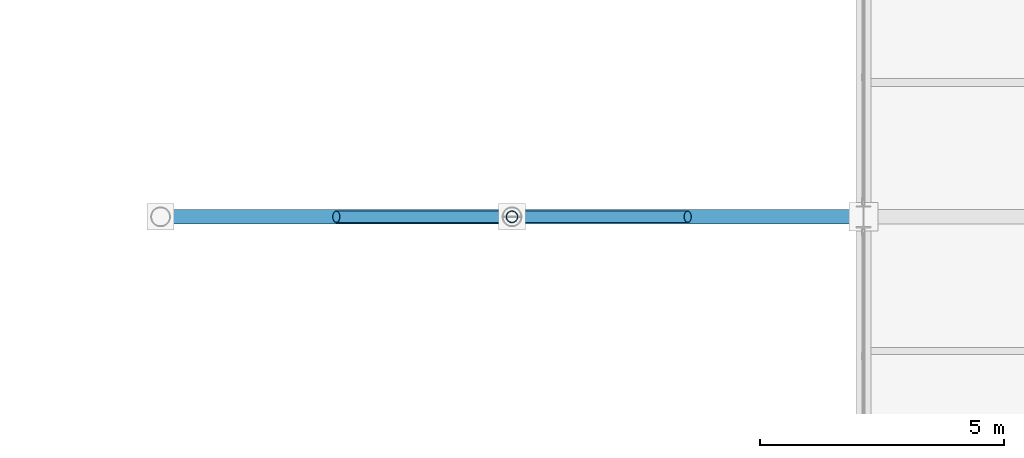
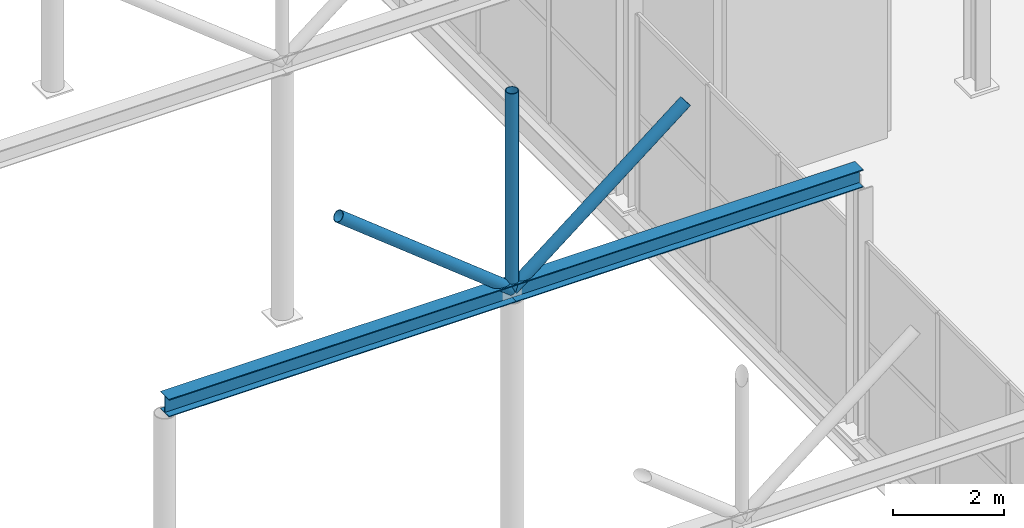
# One storey, part 23 of 147: 3 members, 2 beams.
"""IFC4 building model written with IfcOpenShell, lengths in metres."""

import ifcopenshell
import ifcopenshell.guid

model = None  # the IFC model being written
_history = None  # IfcOwnerHistory: only IFC2X3 demands one
_inside = {}  # id of a spatial element -> (the spatial element, [elements in it])
_under = {}  # id of a project, library or spatial element -> (it, [spatial elements below it])
_declared = {}  # id of a project -> (the project, [libraries it declares])
_typed = {}  # id of a type object -> (the type object, [elements of that type])
_made_of = {}  # id of a material, layer set ... -> (it, [elements and type objects made of it])


def new_model(schema):
    """Start an empty IFC model of exactly this schema.

    Asked for "IFC4X3", IfcOpenShell would pick the latest addendum, in which some entities
    have other attributes; the version numbers below select the first issue.
    IFC2X3 requires an IfcOwnerHistory on every rooted entity: one is made here for all.
    """
    global model, _history
    if schema == "IFC4X3":
        model = ifcopenshell.file(schema_version=(4, 3, 0, 0))
    else:
        model = ifcopenshell.file(schema=schema)
    _inside.clear()
    _under.clear()
    _declared.clear()
    _typed.clear()
    _made_of.clear()
    _history = None
    if model.schema == "IFC2X3":
        org = make("IfcOrganization", Name="unknown")
        user = make(
            "IfcPersonAndOrganization",
            ThePerson=make("IfcPerson", FamilyName="unknown"),
            TheOrganization=org,
        )
        app = make(
            "IfcApplication",
            ApplicationDeveloper=org,
            Version="unknown",
            ApplicationFullName="unknown",
            ApplicationIdentifier="unknown",
        )
        _history = make(
            "IfcOwnerHistory",
            OwningUser=user,
            OwningApplication=app,
            ChangeAction="ADDED",
            CreationDate=0,
        )
    return model


def make(cls, **values):
    """One entity of the class cls with the attributes given. An attribute that is None is left unset."""
    return model.create_entity(
        cls, **{name: value for name, value in values.items() if value is not None}
    )


def rooted(cls, **values):
    """An entity with a GlobalId (a new one), such as an element, a storey or a relation."""
    return make(cls, GlobalId=ifcopenshell.guid.new(), OwnerHistory=_history, **values)


def si_unit(unit_type, name, prefix=None):
    """IfcSIUnit, for example si_unit("LENGTHUNIT", "METRE", prefix="MILLI")."""
    return make("IfcSIUnit", UnitType=unit_type, Prefix=prefix, Name=name)


def assignment(units):
    """IfcUnitAssignment: the units of a project."""
    return None if units is None else make("IfcUnitAssignment", Units=units)


def point(xyz):
    """IfcCartesianPoint."""
    return None if xyz is None else make("IfcCartesianPoint", Coordinates=xyz)


def direction(xyz):
    """IfcDirection."""
    return None if xyz is None else make("IfcDirection", DirectionRatios=xyz)


def frame(location, z_axis=None, x_axis=None):
    """IfcAxis2Placement3D, a coordinate frame: its origin and axes. An axis left out is left unset."""
    return make(
        "IfcAxis2Placement3D",
        Location=point(location),
        Axis=direction(z_axis),
        RefDirection=direction(x_axis),
    )


def frame_2d(location, x_axis=None):
    """IfcAxis2Placement2D, a coordinate frame in the plane: its origin and x axis."""
    return make(
        "IfcAxis2Placement2D", Location=point(location), RefDirection=direction(x_axis)
    )


def origin():
    """The frame at (0, 0, 0) with its axes left unset."""
    return frame((0.0, 0.0, 0.0))


def origin_2d():
    """The frame at (0, 0) in the plane with its x axis left unset."""
    return frame_2d((0.0, 0.0))


def place(relative_to, where):
    """IfcLocalPlacement: puts the frame where relative to a parent placement (None: the world)."""
    return make(
        "IfcLocalPlacement", PlacementRelTo=relative_to, RelativePlacement=where
    )


def context(
    kind, dimensions, precision=None, world=None, true_north=None, identifier=None
):
    """IfcGeometricRepresentationContext, for example the 3D "Model" context."""
    return make(
        "IfcGeometricRepresentationContext",
        ContextIdentifier=identifier,
        ContextType=kind,
        CoordinateSpaceDimension=dimensions,
        Precision=precision,
        WorldCoordinateSystem=world,
        TrueNorth=true_north,
    )


def subcontext(parent, identifier, kind, view, scale=None):
    """IfcGeometricRepresentationSubContext, for example "Body" below "Model"."""
    return make(
        "IfcGeometricRepresentationSubContext",
        ContextIdentifier=identifier,
        ContextType=kind,
        ParentContext=parent,
        TargetScale=scale,
        TargetView=view,
    )


def project(units=None, contexts=None):
    """IfcProject with its units and contexts."""
    return rooted(
        "IfcProject",
        Name="project",
        RepresentationContexts=contexts,
        UnitsInContext=assignment(units),
    )


def spatial(cls, under=None, at=None, **own):
    """A site, building, storey or space (cls), placed at a placement, below another one or the project."""
    s = rooted(cls, ObjectPlacement=at, **own)
    if under is not None:
        _under.setdefault(under.id(), (under, []))[1].append(s)
    return s


def profile(cls, at=None, kind="AREA", **sizes):
    """A parametric profile (cls). Its sizes go by their IFC names, for example OverallWidth=200.0."""
    return make(cls, ProfileType=kind, Position=at, **sizes)


def hollow_circle(**sizes):
    """IfcCircleHollowProfileDef."""
    return profile("IfcCircleHollowProfileDef", **sizes)


def i_section(**sizes):
    """IfcIShapeProfileDef."""
    return profile("IfcIShapeProfileDef", **sizes)


def extrude(swept, where, along, depth):
    """IfcExtrudedAreaSolid: the profile swept, set in the frame where, extruded along a direction by depth."""
    return make(
        "IfcExtrudedAreaSolid",
        SweptArea=swept,
        Position=where,
        ExtrudedDirection=direction(along),
        Depth=depth,
    )


def shape(context_of_items, identifier, shape_type, items):
    """IfcShapeRepresentation: the items that make up one representation, for example the "Body"."""
    return make(
        "IfcShapeRepresentation",
        ContextOfItems=context_of_items,
        RepresentationIdentifier=identifier,
        RepresentationType=shape_type,
        Items=items,
    )


def material(Name=None, Category=None):
    """IfcMaterial."""
    return make("IfcMaterial", Name=Name, Category=Category)


def material_profile(
    of_material, cross_section, Name=None, Category=None, Priority=None
):
    """IfcMaterialProfile: a cross section and its material."""
    return make(
        "IfcMaterialProfile",
        Name=Name,
        Material=of_material,
        Profile=cross_section,
        Priority=Priority,
        Category=Category,
    )


def profile_set(profiles, Name=None, composite=None):
    """IfcMaterialProfileSet."""
    return make(
        "IfcMaterialProfileSet",
        Name=Name,
        MaterialProfiles=profiles,
        CompositeProfile=composite,
    )


def made_of(thing, what):
    """Note that an element or type object is made of a material, layer set ...; save() writes the relation."""
    if what is not None:
        _made_of.setdefault(what.id(), (what, []))[1].append(thing)
    return thing


def type_object(cls, material=None, **own):
    """A type object (cls), such as IfcWallType, which elements share."""
    return made_of(rooted(cls, **own), material)


def element(
    cls,
    number,
    at=None,
    inside=None,
    cuts=None,
    type_object=None,
    material=None,
    context=None,
    identifier="Body",
    shape_type=None,
    held_by="IfcProductDefinitionShape",
    body=None,
    shapes=None,
    **own,
):
    """One element of the class cls, such as IfcWall. Its Tag is "e" and its number.

    at: its placement. inside: the storey or other place that contains it. cuts: it is an
    opening in that element (IfcRelVoidsElement). A single representation is given by context,
    identifier, shape_type and body (its items); several are given by shapes. held_by: the class
    of the entity that holds the representations. save() writes the other relations.
    """
    e = rooted(cls, Tag="e%d" % number, ObjectPlacement=at, **own)
    if body is not None:
        shapes = [shape(context, identifier, shape_type, body)]
    if shapes is not None:
        e.Representation = make(held_by, Representations=shapes)
    if inside is not None:
        _inside.setdefault(inside.id(), (inside, []))[1].append(e)
    if cuts is not None:
        rooted(
            "IfcRelVoidsElement", RelatingBuildingElement=cuts, RelatedOpeningElement=e
        )
    if type_object is not None:
        _typed.setdefault(type_object.id(), (type_object, []))[1].append(e)
    return made_of(e, material)


def aggregate(whole, parts):
    """IfcRelAggregates: a whole, such as a stair, and the parts it consists of."""
    return rooted("IfcRelAggregates", RelatingObject=whole, RelatedObjects=parts)


def save(model, path):
    """Write the relations noted so far, then the file.

    IfcRelAggregates (storeys below a building ...), IfcRelContainedInSpatialStructure (elements
    in a storey), IfcRelDefinesByType, IfcRelAssociatesMaterial and IfcRelDeclares: one each for
    every whole, place, type object, material and project.
    """
    for whole, parts in _under.values():
        aggregate(whole, parts)
    for where, things in _inside.values():
        rooted(
            "IfcRelContainedInSpatialStructure",
            RelatedElements=things,
            RelatingStructure=where,
        )
    for kind, things in _typed.values():
        rooted("IfcRelDefinesByType", RelatedObjects=things, RelatingType=kind)
    for what, things in _made_of.values():
        rooted("IfcRelAssociatesMaterial", RelatedObjects=things, RelatingMaterial=what)
    for by, libraries in _declared.values():
        rooted("IfcRelDeclares", RelatingContext=by, RelatedDefinitions=libraries)
    model.write(path)


model = new_model("IFC4")

# Units and contexts
model_context = context("Model", 3, precision=1e-05, world=origin(), true_north=direction((0.0, 1.0)))
body_context = subcontext(model_context, "Body", "Model", "MODEL_VIEW")
ifc_project = project(units=[si_unit("LENGTHUNIT", "METRE"), si_unit("AREAUNIT", "SQUARE_METRE"), si_unit("VOLUMEUNIT", "CUBIC_METRE"), si_unit("PLANEANGLEUNIT", "RADIAN"), si_unit("MASSUNIT", "GRAM", prefix="KILO")], contexts=[model_context])

# Site, building, storey
site_placement = place(None, origin())
site = spatial("IfcSite", under=ifc_project, at=site_placement, CompositionType="ELEMENT")
building_placement = place(site_placement, origin())
building = spatial("IfcBuilding", under=site, at=building_placement, Name="Sundgate Opera House", CompositionType="ELEMENT")
storey_placement = place(building_placement, frame((0.0, 0.0, 6.0)))
storey = spatial("IfcBuildingStorey", under=building, at=storey_placement, Name="L01", CompositionType="ELEMENT", Elevation=6.0)

# Beams
ifc_material_1 = material(Name="Steel S355J2", Category="steel")
ifc_material_profile_1 = material_profile(ifc_material_1, i_section(OverallWidth=0.300048828125, OverallDepth=0.389892578125, WebThickness=0.010986328125, FlangeThickness=0.01904296875, at=origin_2d()), Name="HEA 400")
ifc_profile_set_1 = profile_set([ifc_material_profile_1], Name="Steel S355J2")
beam_type = type_object("IfcBeamType", Name="BM-GR-HEA400", PredefinedType="BEAM", material=ifc_profile_set_1)
for number, where, z_axis, x_axis, name in (
    (1, (81.0, 16.5, 5.5849609375), (1.0, 0.0, 0.0), (0.0, 1.0, 0.0), "L01 Passage Arch Tie Beam B3395"),
    (2, (88.199951171875, 16.5, 5.5849609375), (1.0, 0.0, 0.0), (0.0, 1.0, 0.0), "L01 Passage Arch Tie Beam B3396"),
):
    element("IfcBeam", number, at=place(storey_placement, frame(where, z_axis=z_axis, x_axis=x_axis)), inside=storey, type_object=beam_type, Name=name, PredefinedType="BEAM", context=body_context, shape_type="SweptSolid", body=[
        extrude(i_section(OverallWidth=0.300048828125, OverallDepth=0.389892578125, WebThickness=0.010986328125, FlangeThickness=0.01904296875, at=origin_2d()), origin(), (0.0, 0.0, 1.0), 7.199951171875),
    ])

# Members
ifc_material_2 = material(Name="Steel S355J2", Category="steel")
ifc_material_profile_2 = material_profile(ifc_material_2, hollow_circle(Radius=0.122314453125, WallThickness=0.012451171875, at=origin_2d()), Name="CHS 244.5x12.5")
ifc_profile_set_2 = profile_set([ifc_material_profile_2], Name="Steel S355J2")
member_type = type_object("IfcMemberType", Name="MB-STRUT-CHS244", PredefinedType="STRUT", material=ifc_profile_set_2)
member_1_placement = place(storey_placement, frame((88.199951171875, 16.5, 5.594970703125), z_axis=(-0.78350570776, 0.0, 0.621384587762), x_axis=(0.0, -1.0, 0.0)))
element("IfcMember", 3, at=member_1_placement, inside=storey, type_object=member_type, Name="Passage Arch Spandrel Strut M0290", PredefinedType="STRUT", context=body_context, shape_type="SweptSolid", body=[
    extrude(hollow_circle(Radius=0.122314453125, WallThickness=0.012451171875, at=origin_2d()), origin(), (0.0, 0.0, 1.0), 4.594482421875),
])
member_2_placement = place(storey_placement, frame((88.199951171875, 16.5, 5.594970703125), z_axis=(0.783526223691, 0.0, 0.621358718285), x_axis=(0.0, 1.0, 0.0)))
element("IfcMember", 4, at=member_2_placement, inside=storey, type_object=member_type, Name="Passage Arch Spandrel Strut M0291", PredefinedType="STRUT", context=body_context, shape_type="SweptSolid", body=[
    extrude(hollow_circle(Radius=0.122314453125, WallThickness=0.012451171875, at=origin_2d()), origin(), (0.0, 0.0, 1.0), 4.5947265625),
])
member_3_placement = place(storey_placement, frame((88.199951171875, 16.5, 5.594970703125), z_axis=(0.0, 0.0, 1.0), x_axis=(1.0, 0.0, 0.0)))
element("IfcMember", 5, at=member_3_placement, inside=storey, type_object=member_type, Name="Passage Arch Crown Post M0292", PredefinedType="STRUT", context=body_context, shape_type="SweptSolid", body=[
    extrude(hollow_circle(Radius=0.122314453125, WallThickness=0.012451171875, at=origin_2d()), origin(), (0.0, 0.0, 1.0), 4.35498046875),
])

save(model, "model.ifc")
